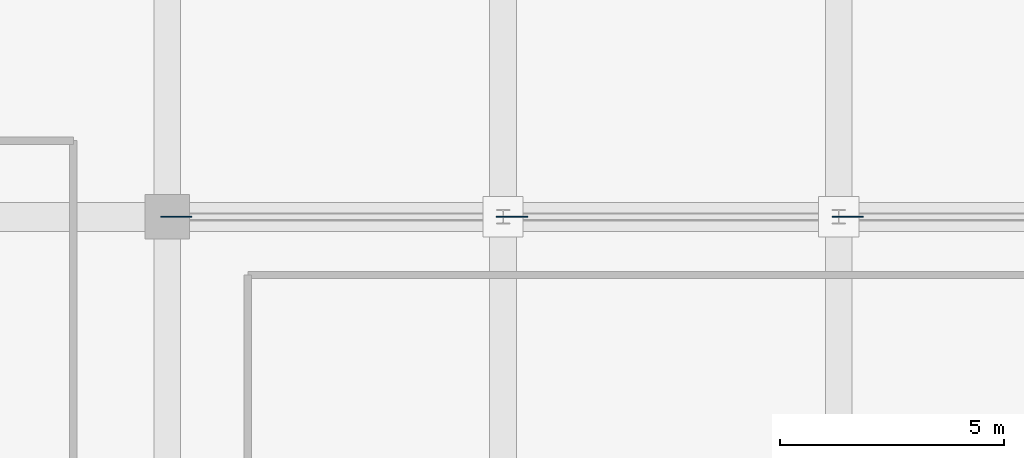
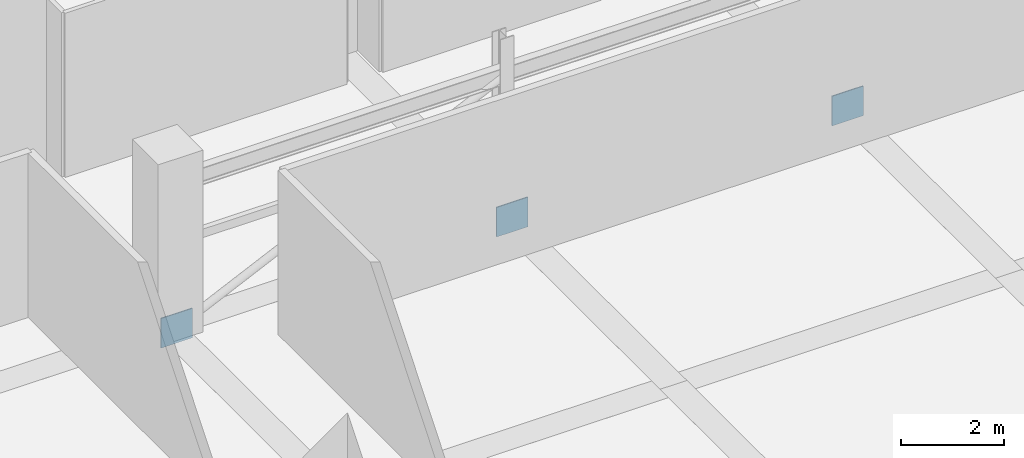
# One storey, part 10 of 33: 3 plates.
"""IFC4 building model written with IfcOpenShell, lengths in metres."""

import ifcopenshell
import ifcopenshell.guid

model = None  # the IFC model being written
_history = None  # IfcOwnerHistory: only IFC2X3 demands one
_inside = {}  # id of a spatial element -> (the spatial element, [elements in it])
_under = {}  # id of a project, library or spatial element -> (it, [spatial elements below it])
_declared = {}  # id of a project -> (the project, [libraries it declares])
_typed = {}  # id of a type object -> (the type object, [elements of that type])
_made_of = {}  # id of a material, layer set ... -> (it, [elements and type objects made of it])


def new_model(schema):
    """Start an empty IFC model of exactly this schema.

    Asked for "IFC4X3", IfcOpenShell would pick the latest addendum, in which some entities
    have other attributes; the version numbers below select the first issue.
    IFC2X3 requires an IfcOwnerHistory on every rooted entity: one is made here for all.
    """
    global model, _history
    if schema == "IFC4X3":
        model = ifcopenshell.file(schema_version=(4, 3, 0, 0))
    else:
        model = ifcopenshell.file(schema=schema)
    _inside.clear()
    _under.clear()
    _declared.clear()
    _typed.clear()
    _made_of.clear()
    _history = None
    if model.schema == "IFC2X3":
        org = make("IfcOrganization", Name="unknown")
        user = make(
            "IfcPersonAndOrganization",
            ThePerson=make("IfcPerson", FamilyName="unknown"),
            TheOrganization=org,
        )
        app = make(
            "IfcApplication",
            ApplicationDeveloper=org,
            Version="unknown",
            ApplicationFullName="unknown",
            ApplicationIdentifier="unknown",
        )
        _history = make(
            "IfcOwnerHistory",
            OwningUser=user,
            OwningApplication=app,
            ChangeAction="ADDED",
            CreationDate=0,
        )
    return model


def make(cls, **values):
    """One entity of the class cls with the attributes given. An attribute that is None is left unset."""
    return model.create_entity(
        cls, **{name: value for name, value in values.items() if value is not None}
    )


def rooted(cls, **values):
    """An entity with a GlobalId (a new one), such as an element, a storey or a relation."""
    return make(cls, GlobalId=ifcopenshell.guid.new(), OwnerHistory=_history, **values)


def si_unit(unit_type, name, prefix=None):
    """IfcSIUnit, for example si_unit("LENGTHUNIT", "METRE", prefix="MILLI")."""
    return make("IfcSIUnit", UnitType=unit_type, Prefix=prefix, Name=name)


def assignment(units):
    """IfcUnitAssignment: the units of a project."""
    return None if units is None else make("IfcUnitAssignment", Units=units)


def point(xyz):
    """IfcCartesianPoint."""
    return None if xyz is None else make("IfcCartesianPoint", Coordinates=xyz)


def direction(xyz):
    """IfcDirection."""
    return None if xyz is None else make("IfcDirection", DirectionRatios=xyz)


def frame(location, z_axis=None, x_axis=None):
    """IfcAxis2Placement3D, a coordinate frame: its origin and axes. An axis left out is left unset."""
    return make(
        "IfcAxis2Placement3D",
        Location=point(location),
        Axis=direction(z_axis),
        RefDirection=direction(x_axis),
    )


def frame_2d(location, x_axis=None):
    """IfcAxis2Placement2D, a coordinate frame in the plane: its origin and x axis."""
    return make(
        "IfcAxis2Placement2D", Location=point(location), RefDirection=direction(x_axis)
    )


def origin():
    """The frame at (0, 0, 0) with its axes left unset."""
    return frame((0.0, 0.0, 0.0))


def origin_2d():
    """The frame at (0, 0) in the plane with its x axis left unset."""
    return frame_2d((0.0, 0.0))


def place(relative_to, where):
    """IfcLocalPlacement: puts the frame where relative to a parent placement (None: the world)."""
    return make(
        "IfcLocalPlacement", PlacementRelTo=relative_to, RelativePlacement=where
    )


def context(
    kind, dimensions, precision=None, world=None, true_north=None, identifier=None
):
    """IfcGeometricRepresentationContext, for example the 3D "Model" context."""
    return make(
        "IfcGeometricRepresentationContext",
        ContextIdentifier=identifier,
        ContextType=kind,
        CoordinateSpaceDimension=dimensions,
        Precision=precision,
        WorldCoordinateSystem=world,
        TrueNorth=true_north,
    )


def subcontext(parent, identifier, kind, view, scale=None):
    """IfcGeometricRepresentationSubContext, for example "Body" below "Model"."""
    return make(
        "IfcGeometricRepresentationSubContext",
        ContextIdentifier=identifier,
        ContextType=kind,
        ParentContext=parent,
        TargetScale=scale,
        TargetView=view,
    )


def project(units=None, contexts=None):
    """IfcProject with its units and contexts."""
    return rooted(
        "IfcProject",
        Name="project",
        RepresentationContexts=contexts,
        UnitsInContext=assignment(units),
    )


def spatial(cls, under=None, at=None, **own):
    """A site, building, storey or space (cls), placed at a placement, below another one or the project."""
    s = rooted(cls, ObjectPlacement=at, **own)
    if under is not None:
        _under.setdefault(under.id(), (under, []))[1].append(s)
    return s


def profile(cls, at=None, kind="AREA", **sizes):
    """A parametric profile (cls). Its sizes go by their IFC names, for example OverallWidth=200.0."""
    return make(cls, ProfileType=kind, Position=at, **sizes)


def rectangle(**sizes):
    """IfcRectangleProfileDef."""
    return profile("IfcRectangleProfileDef", **sizes)


def extrude(swept, where, along, depth):
    """IfcExtrudedAreaSolid: the profile swept, set in the frame where, extruded along a direction by depth."""
    return make(
        "IfcExtrudedAreaSolid",
        SweptArea=swept,
        Position=where,
        ExtrudedDirection=direction(along),
        Depth=depth,
    )


def shape(context_of_items, identifier, shape_type, items):
    """IfcShapeRepresentation: the items that make up one representation, for example the "Body"."""
    return make(
        "IfcShapeRepresentation",
        ContextOfItems=context_of_items,
        RepresentationIdentifier=identifier,
        RepresentationType=shape_type,
        Items=items,
    )


def material(Name=None, Category=None):
    """IfcMaterial."""
    return make("IfcMaterial", Name=Name, Category=Category)


def layer(
    of_material, thickness, ventilated=None, Name=None, Category=None, Priority=None
):
    """IfcMaterialLayer: one layer of a wall or slab, of a material (None: an air gap)."""
    return make(
        "IfcMaterialLayer",
        Material=of_material,
        LayerThickness=thickness,
        IsVentilated=ventilated,
        Name=Name,
        Category=Category,
        Priority=Priority,
    )


def layer_set(layers, Name=None):
    """IfcMaterialLayerSet."""
    return make("IfcMaterialLayerSet", MaterialLayers=layers, LayerSetName=Name)


def made_of(thing, what):
    """Note that an element or type object is made of a material, layer set ...; save() writes the relation."""
    if what is not None:
        _made_of.setdefault(what.id(), (what, []))[1].append(thing)
    return thing


def type_object(cls, material=None, **own):
    """A type object (cls), such as IfcWallType, which elements share."""
    return made_of(rooted(cls, **own), material)


def element(
    cls,
    number,
    at=None,
    inside=None,
    cuts=None,
    type_object=None,
    material=None,
    context=None,
    identifier="Body",
    shape_type=None,
    held_by="IfcProductDefinitionShape",
    body=None,
    shapes=None,
    **own,
):
    """One element of the class cls, such as IfcWall. Its Tag is "e" and its number.

    at: its placement. inside: the storey or other place that contains it. cuts: it is an
    opening in that element (IfcRelVoidsElement). A single representation is given by context,
    identifier, shape_type and body (its items); several are given by shapes. held_by: the class
    of the entity that holds the representations. save() writes the other relations.
    """
    e = rooted(cls, Tag="e%d" % number, ObjectPlacement=at, **own)
    if body is not None:
        shapes = [shape(context, identifier, shape_type, body)]
    if shapes is not None:
        e.Representation = make(held_by, Representations=shapes)
    if inside is not None:
        _inside.setdefault(inside.id(), (inside, []))[1].append(e)
    if cuts is not None:
        rooted(
            "IfcRelVoidsElement", RelatingBuildingElement=cuts, RelatedOpeningElement=e
        )
    if type_object is not None:
        _typed.setdefault(type_object.id(), (type_object, []))[1].append(e)
    return made_of(e, material)


def aggregate(whole, parts):
    """IfcRelAggregates: a whole, such as a stair, and the parts it consists of."""
    return rooted("IfcRelAggregates", RelatingObject=whole, RelatedObjects=parts)


def save(model, path):
    """Write the relations noted so far, then the file.

    IfcRelAggregates (storeys below a building ...), IfcRelContainedInSpatialStructure (elements
    in a storey), IfcRelDefinesByType, IfcRelAssociatesMaterial and IfcRelDeclares: one each for
    every whole, place, type object, material and project.
    """
    for whole, parts in _under.values():
        aggregate(whole, parts)
    for where, things in _inside.values():
        rooted(
            "IfcRelContainedInSpatialStructure",
            RelatedElements=things,
            RelatingStructure=where,
        )
    for kind, things in _typed.values():
        rooted("IfcRelDefinesByType", RelatedObjects=things, RelatingType=kind)
    for what, things in _made_of.values():
        rooted("IfcRelAssociatesMaterial", RelatedObjects=things, RelatingMaterial=what)
    for by, libraries in _declared.values():
        rooted("IfcRelDeclares", RelatingContext=by, RelatedDefinitions=libraries)
    model.write(path)


model = new_model("IFC4")

# Units and contexts
model_context = context("Model", 3, precision=1e-05, world=origin(), true_north=direction((0.0, 1.0)))
body_context = subcontext(model_context, "Body", "Model", "MODEL_VIEW")
ifc_project = project(units=[si_unit("LENGTHUNIT", "METRE"), si_unit("AREAUNIT", "SQUARE_METRE"), si_unit("VOLUMEUNIT", "CUBIC_METRE"), si_unit("PLANEANGLEUNIT", "RADIAN"), si_unit("MASSUNIT", "GRAM", prefix="KILO")], contexts=[model_context])

# Site, building, storey
site_placement = place(None, origin())
site = spatial("IfcSite", under=ifc_project, at=site_placement, CompositionType="ELEMENT")
building_placement = place(site_placement, origin())
building = spatial("IfcBuilding", under=site, at=building_placement, Name="Akrevak Sports Hall", CompositionType="ELEMENT")
storey_placement = place(building_placement, origin())
storey = spatial("IfcBuildingStorey", under=building, at=storey_placement, Name="L00", CompositionType="ELEMENT", Elevation=0.0)

# Plates
ifc_material = material(Name="Steel S355", Category="steel")
ifc_layer = layer(ifc_material, 0.02392578125, Name="Steel S355")
ifc_layer_set = layer_set([ifc_layer], Name="Steel S355")
plate_type = type_object("IfcPlateType", Name="STR-PLT-GUSSET-24", PredefinedType="SHEET", material=ifc_layer_set)
for number, where, z_axis, x_axis, name in (
    (1, (115.699951171875, 48.60009765625, -0.4501953125), (0.0, 0.0, 1.0), (1.0, 0.0, 0.0), "Steel Gusset Plate PL-G1-L00-1"),
    (2, (123.199951171875, 48.60009765625, -0.4501953125), (0.0, 0.0, 1.0), (1.0, 0.0, 0.0), "Steel Gusset Plate PL-G1-L00-2"),
    (3, (130.699951171875, 48.60009765625, -0.4501953125), (0.0, 0.0, 1.0), (1.0, 0.0, 0.0), "Steel Gusset Plate PL-G1-L00-3"),
):
    element("IfcPlate", number, at=place(storey_placement, frame(where, z_axis=z_axis, x_axis=x_axis)), inside=storey, type_object=plate_type, Name=name, PredefinedType="SHEET", context=body_context, shape_type="SweptSolid", body=[
        extrude(rectangle(XDim=0.699951171875, YDim=0.02392578125, at=origin_2d()), origin(), (0.0, 0.0, 1.0), 0.699951171875),
    ])

save(model, "model.ifc")
